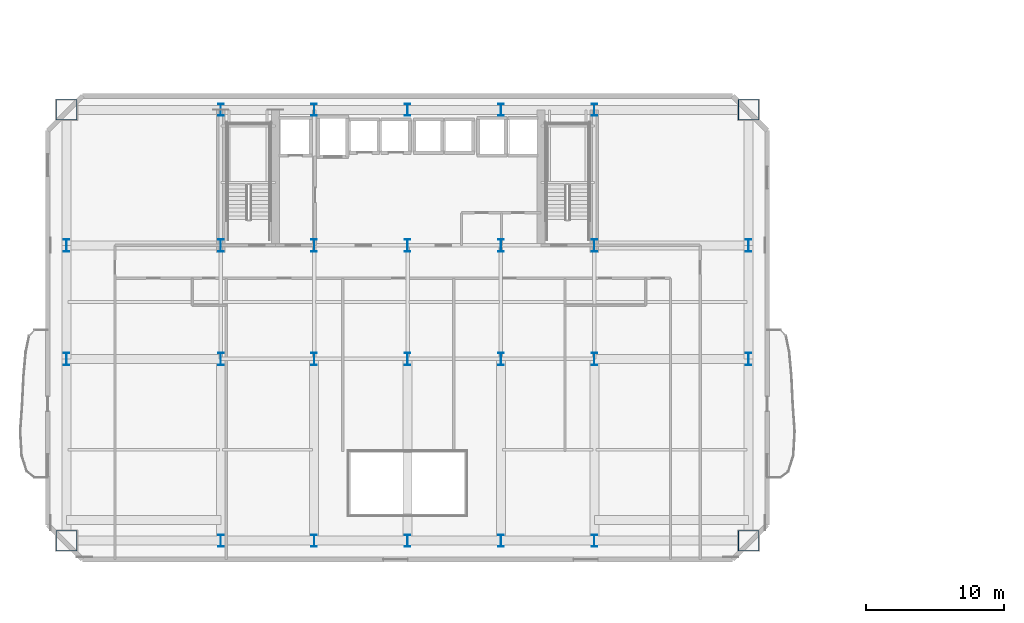
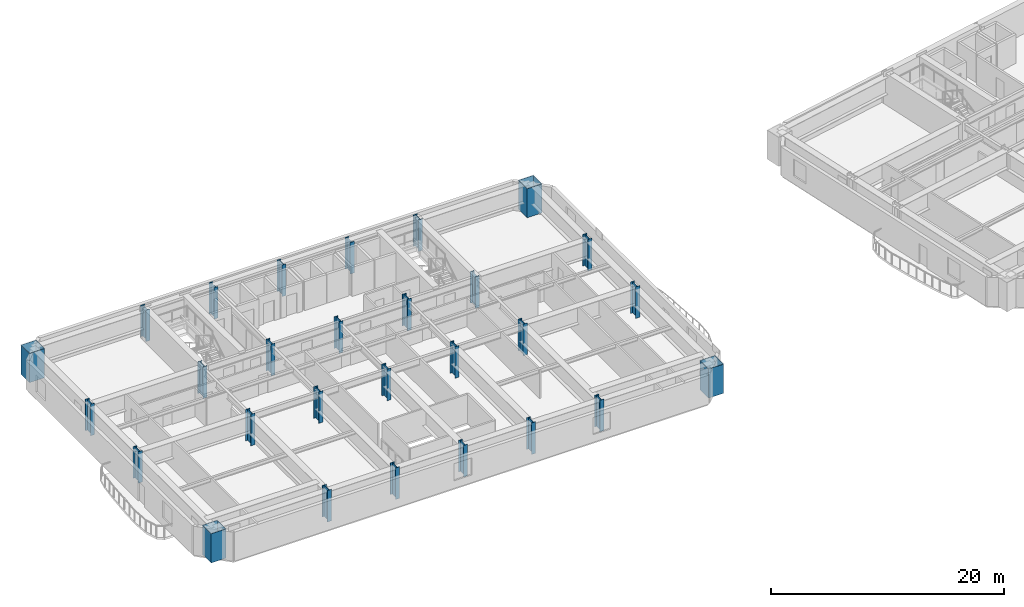
# One storey, part 1 of 18: 28 columns.
"""IFC4 building model written with IfcOpenShell, lengths in metres."""

from ifc_helpers import new_model, si_unit, direction, frame, origin, origin_2d, place, context, subcontext, project, spatial, hollow_rectangle, i_section, extrude, material, material_profile, profile_set, type_object, element, save


model = new_model("IFC4")

# Units and contexts
model_context = context("Model", 3, precision=1e-05, world=origin(), true_north=direction((0.0, 1.0)))
body_context = subcontext(model_context, "Body", "Model", "MODEL_VIEW")
ifc_project = project(units=[si_unit("LENGTHUNIT", "METRE"), si_unit("AREAUNIT", "SQUARE_METRE"), si_unit("VOLUMEUNIT", "CUBIC_METRE"), si_unit("PLANEANGLEUNIT", "RADIAN"), si_unit("MASSUNIT", "GRAM", prefix="KILO")], contexts=[model_context])

# Site, building, storey
site_placement = place(None, origin())
site = spatial("IfcSite", under=ifc_project, at=site_placement, CompositionType="ELEMENT")
building_placement = place(site_placement, origin())
building = spatial("IfcBuilding", under=site, at=building_placement, Name="Haevon Station Towers", CompositionType="ELEMENT")
storey_placement = place(building_placement, frame((0.0, 0.0, 66.89990234375)))
storey = spatial("IfcBuildingStorey", under=building, at=storey_placement, Name="L17", CompositionType="ELEMENT", Elevation=66.89990234375)

# Columns
ifc_material = material(Name="Steel S460", Category="steel")
ifc_material_profile_1 = material_profile(ifc_material, hollow_rectangle(XDim=1.5, YDim=1.5, WallThickness=0.0400390625, at=origin_2d()), Name="BOX-1500x1500x40")
ifc_profile_set_1 = profile_set([ifc_material_profile_1], Name="Steel S460")
column_type_1 = type_object("IfcColumnType", Name="COL-MC2", PredefinedType="COLUMN", material=ifc_profile_set_1)
for number, where, z_axis, x_axis, name in (
    (1, (12.85009765625, 16.85009765625, 0.0), (0.0, 0.0, 1.0), (1.0, 0.0, 0.0), "COL-T1-L17-01-01"),
    (2, (12.85009765625, 48.0, 0.0), (0.0, 0.0, 1.0), (1.0, 0.0, 0.0), "COL-T1-L17-01-04"),
    (3, (62.14990234375, 16.85009765625, 0.0), (0.0, 0.0, 1.0), (1.0, 0.0, 0.0), "COL-T1-L17-07-01"),
    (4, (62.14990234375, 48.0, 0.0), (0.0, 0.0, 1.0), (1.0, 0.0, 0.0), "COL-T1-L17-07-04"),
):
    element("IfcColumn", number, at=place(storey_placement, frame(where, z_axis=z_axis, x_axis=x_axis)), inside=storey, type_object=column_type_1, Name=name, PredefinedType="COLUMN", context=body_context, shape_type="SweptSolid", body=[
        extrude(hollow_rectangle(XDim=1.5, YDim=1.5, WallThickness=0.0400390625, at=origin_2d()), origin(), (0.0, 0.0, 1.0), 3.050048828125),
    ])
ifc_material_profile_2 = material_profile(ifc_material, i_section(OverallWidth=0.39990234375, OverallDepth=0.89990234375, WebThickness=0.02001953125, FlangeThickness=0.035888671875, at=origin_2d()), Name="H-900x400x20x36")
ifc_profile_set_2 = profile_set([ifc_material_profile_2], Name="Steel S460")
column_type_2 = type_object("IfcColumnType", Name="COL-TW1", PredefinedType="COLUMN", material=ifc_profile_set_2)
for number, where, z_axis, x_axis, name in (
    (5, (12.85009765625, 30.0, 0.0), (0.0, 0.0, 1.0), (1.0, 0.0, 0.0), "COL-T1-L17-01-02"),
    (6, (12.85009765625, 38.199951171875, 0.0), (0.0, 0.0, 1.0), (1.0, 0.0, 0.0), "COL-T1-L17-01-03"),
    (7, (24.0, 16.85009765625, 0.0), (0.0, 0.0, 1.0), (1.0, 0.0, 0.0), "COL-T1-L17-02-01"),
    (8, (24.0, 30.0, 0.0), (0.0, 0.0, 1.0), (1.0, 0.0, 0.0), "COL-T1-L17-02-02"),
    (9, (24.0, 38.199951171875, 0.0), (0.0, 0.0, 1.0), (1.0, 0.0, 0.0), "COL-T1-L17-02-03"),
    (10, (24.0, 48.0, 0.0), (0.0, 0.0, 1.0), (1.0, 0.0, 0.0), "COL-T1-L17-02-04"),
    (11, (30.75, 16.85009765625, 0.0), (0.0, 0.0, 1.0), (1.0, 0.0, 0.0), "COL-T1-L17-03-01"),
    (12, (30.75, 30.0, 0.0), (0.0, 0.0, 1.0), (1.0, 0.0, 0.0), "COL-T1-L17-03-02"),
    (13, (30.75, 38.199951171875, 0.0), (0.0, 0.0, 1.0), (1.0, 0.0, 0.0), "COL-T1-L17-03-03"),
    (14, (30.75, 48.0, 0.0), (0.0, 0.0, 1.0), (1.0, 0.0, 0.0), "COL-T1-L17-03-04"),
    (15, (37.5, 16.85009765625, 0.0), (0.0, 0.0, 1.0), (1.0, 0.0, 0.0), "COL-T1-L17-04-01"),
    (16, (37.5, 30.0, 0.0), (0.0, 0.0, 1.0), (1.0, 0.0, 0.0), "COL-T1-L17-04-02"),
    (17, (37.5, 38.199951171875, 0.0), (0.0, 0.0, 1.0), (1.0, 0.0, 0.0), "COL-T1-L17-04-03"),
    (18, (37.5, 48.0, 0.0), (0.0, 0.0, 1.0), (1.0, 0.0, 0.0), "COL-T1-L17-04-04"),
    (19, (44.25, 16.85009765625, 0.0), (0.0, 0.0, 1.0), (1.0, 0.0, 0.0), "COL-T1-L17-05-01"),
    (20, (44.25, 30.0, 0.0), (0.0, 0.0, 1.0), (1.0, 0.0, 0.0), "COL-T1-L17-05-02"),
    (21, (44.25, 38.199951171875, 0.0), (0.0, 0.0, 1.0), (1.0, 0.0, 0.0), "COL-T1-L17-05-03"),
    (22, (44.25, 48.0, 0.0), (0.0, 0.0, 1.0), (1.0, 0.0, 0.0), "COL-T1-L17-05-04"),
    (23, (51.0, 16.85009765625, 0.0), (0.0, 0.0, 1.0), (1.0, 0.0, 0.0), "COL-T1-L17-06-01"),
    (24, (51.0, 30.0, 0.0), (0.0, 0.0, 1.0), (1.0, 0.0, 0.0), "COL-T1-L17-06-02"),
    (25, (51.0, 38.199951171875, 0.0), (0.0, 0.0, 1.0), (1.0, 0.0, 0.0), "COL-T1-L17-06-03"),
    (26, (51.0, 48.0, 0.0), (0.0, 0.0, 1.0), (1.0, 0.0, 0.0), "COL-T1-L17-06-04"),
    (27, (62.14990234375, 30.0, 0.0), (0.0, 0.0, 1.0), (1.0, 0.0, 0.0), "COL-T1-L17-07-02"),
    (28, (62.14990234375, 38.199951171875, 0.0), (0.0, 0.0, 1.0), (1.0, 0.0, 0.0), "COL-T1-L17-07-03"),
):
    element("IfcColumn", number, at=place(storey_placement, frame(where, z_axis=z_axis, x_axis=x_axis)), inside=storey, type_object=column_type_2, Name=name, PredefinedType="COLUMN", context=body_context, shape_type="SweptSolid", body=[
        extrude(i_section(OverallWidth=0.39990234375, OverallDepth=0.89990234375, WebThickness=0.02001953125, FlangeThickness=0.035888671875, at=origin_2d()), origin(), (0.0, 0.0, 1.0), 3.300048828125),
    ])

save(model, "model.ifc")
